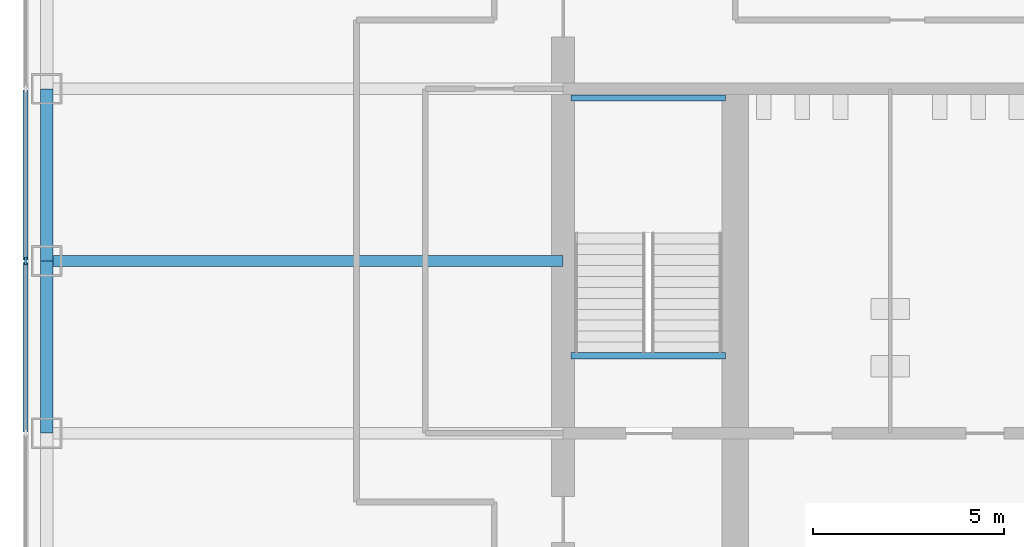
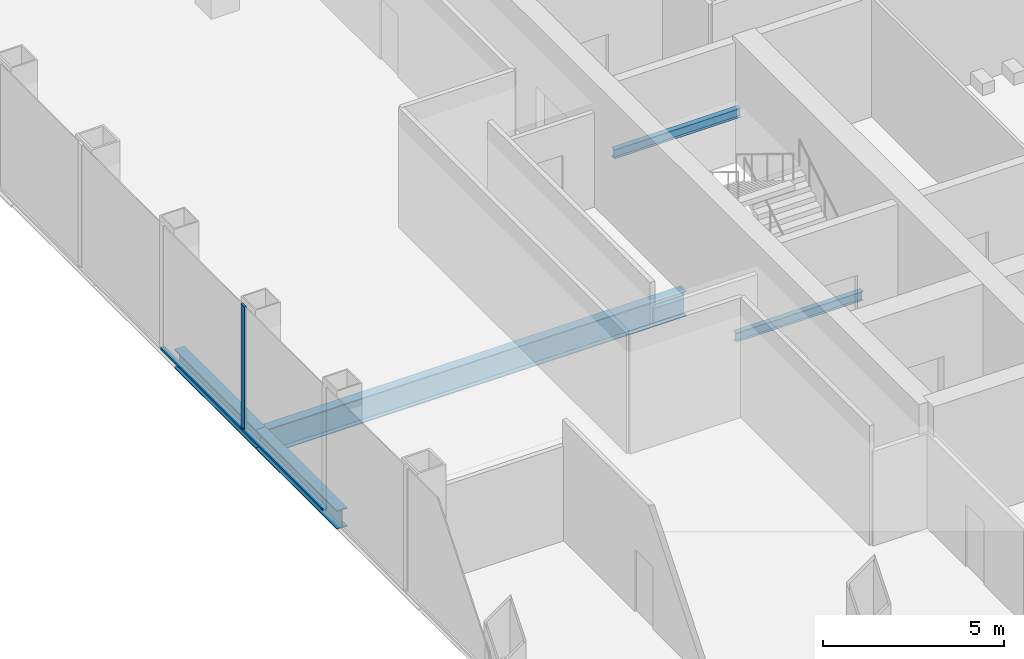
# One storey, part 3 of 12: 5 beams, 3 members, 1 element without a shape of its own.
"""IFC4 building model written with IfcOpenShell, lengths in metres."""

import ifcopenshell
import ifcopenshell.guid

model = None  # the IFC model being written
_history = None  # IfcOwnerHistory: only IFC2X3 demands one
_inside = {}  # id of a spatial element -> (the spatial element, [elements in it])
_under = {}  # id of a project, library or spatial element -> (it, [spatial elements below it])
_declared = {}  # id of a project -> (the project, [libraries it declares])
_typed = {}  # id of a type object -> (the type object, [elements of that type])
_made_of = {}  # id of a material, layer set ... -> (it, [elements and type objects made of it])


def new_model(schema):
    """Start an empty IFC model of exactly this schema.

    Asked for "IFC4X3", IfcOpenShell would pick the latest addendum, in which some entities
    have other attributes; the version numbers below select the first issue.
    IFC2X3 requires an IfcOwnerHistory on every rooted entity: one is made here for all.
    """
    global model, _history
    if schema == "IFC4X3":
        model = ifcopenshell.file(schema_version=(4, 3, 0, 0))
    else:
        model = ifcopenshell.file(schema=schema)
    _inside.clear()
    _under.clear()
    _declared.clear()
    _typed.clear()
    _made_of.clear()
    _history = None
    if model.schema == "IFC2X3":
        org = make("IfcOrganization", Name="unknown")
        user = make(
            "IfcPersonAndOrganization",
            ThePerson=make("IfcPerson", FamilyName="unknown"),
            TheOrganization=org,
        )
        app = make(
            "IfcApplication",
            ApplicationDeveloper=org,
            Version="unknown",
            ApplicationFullName="unknown",
            ApplicationIdentifier="unknown",
        )
        _history = make(
            "IfcOwnerHistory",
            OwningUser=user,
            OwningApplication=app,
            ChangeAction="ADDED",
            CreationDate=0,
        )
    return model


def make(cls, **values):
    """One entity of the class cls with the attributes given. An attribute that is None is left unset."""
    return model.create_entity(
        cls, **{name: value for name, value in values.items() if value is not None}
    )


def rooted(cls, **values):
    """An entity with a GlobalId (a new one), such as an element, a storey or a relation."""
    return make(cls, GlobalId=ifcopenshell.guid.new(), OwnerHistory=_history, **values)


def si_unit(unit_type, name, prefix=None):
    """IfcSIUnit, for example si_unit("LENGTHUNIT", "METRE", prefix="MILLI")."""
    return make("IfcSIUnit", UnitType=unit_type, Prefix=prefix, Name=name)


def assignment(units):
    """IfcUnitAssignment: the units of a project."""
    return None if units is None else make("IfcUnitAssignment", Units=units)


def point(xyz):
    """IfcCartesianPoint."""
    return None if xyz is None else make("IfcCartesianPoint", Coordinates=xyz)


def direction(xyz):
    """IfcDirection."""
    return None if xyz is None else make("IfcDirection", DirectionRatios=xyz)


def frame(location, z_axis=None, x_axis=None):
    """IfcAxis2Placement3D, a coordinate frame: its origin and axes. An axis left out is left unset."""
    return make(
        "IfcAxis2Placement3D",
        Location=point(location),
        Axis=direction(z_axis),
        RefDirection=direction(x_axis),
    )


def frame_2d(location, x_axis=None):
    """IfcAxis2Placement2D, a coordinate frame in the plane: its origin and x axis."""
    return make(
        "IfcAxis2Placement2D", Location=point(location), RefDirection=direction(x_axis)
    )


def origin():
    """The frame at (0, 0, 0) with its axes left unset."""
    return frame((0.0, 0.0, 0.0))


def origin_2d():
    """The frame at (0, 0) in the plane with its x axis left unset."""
    return frame_2d((0.0, 0.0))


def place(relative_to, where):
    """IfcLocalPlacement: puts the frame where relative to a parent placement (None: the world)."""
    return make(
        "IfcLocalPlacement", PlacementRelTo=relative_to, RelativePlacement=where
    )


def context(
    kind, dimensions, precision=None, world=None, true_north=None, identifier=None
):
    """IfcGeometricRepresentationContext, for example the 3D "Model" context."""
    return make(
        "IfcGeometricRepresentationContext",
        ContextIdentifier=identifier,
        ContextType=kind,
        CoordinateSpaceDimension=dimensions,
        Precision=precision,
        WorldCoordinateSystem=world,
        TrueNorth=true_north,
    )


def subcontext(parent, identifier, kind, view, scale=None):
    """IfcGeometricRepresentationSubContext, for example "Body" below "Model"."""
    return make(
        "IfcGeometricRepresentationSubContext",
        ContextIdentifier=identifier,
        ContextType=kind,
        ParentContext=parent,
        TargetScale=scale,
        TargetView=view,
    )


def project(units=None, contexts=None):
    """IfcProject with its units and contexts."""
    return rooted(
        "IfcProject",
        Name="project",
        RepresentationContexts=contexts,
        UnitsInContext=assignment(units),
    )


def spatial(cls, under=None, at=None, **own):
    """A site, building, storey or space (cls), placed at a placement, below another one or the project."""
    s = rooted(cls, ObjectPlacement=at, **own)
    if under is not None:
        _under.setdefault(under.id(), (under, []))[1].append(s)
    return s


def profile(cls, at=None, kind="AREA", **sizes):
    """A parametric profile (cls). Its sizes go by their IFC names, for example OverallWidth=200.0."""
    return make(cls, ProfileType=kind, Position=at, **sizes)


def rectangle(**sizes):
    """IfcRectangleProfileDef."""
    return profile("IfcRectangleProfileDef", **sizes)


def i_section(**sizes):
    """IfcIShapeProfileDef."""
    return profile("IfcIShapeProfileDef", **sizes)


def extrude(swept, where, along, depth):
    """IfcExtrudedAreaSolid: the profile swept, set in the frame where, extruded along a direction by depth."""
    return make(
        "IfcExtrudedAreaSolid",
        SweptArea=swept,
        Position=where,
        ExtrudedDirection=direction(along),
        Depth=depth,
    )


def shape(context_of_items, identifier, shape_type, items):
    """IfcShapeRepresentation: the items that make up one representation, for example the "Body"."""
    return make(
        "IfcShapeRepresentation",
        ContextOfItems=context_of_items,
        RepresentationIdentifier=identifier,
        RepresentationType=shape_type,
        Items=items,
    )


def material(Name=None, Category=None):
    """IfcMaterial."""
    return make("IfcMaterial", Name=Name, Category=Category)


def material_profile(
    of_material, cross_section, Name=None, Category=None, Priority=None
):
    """IfcMaterialProfile: a cross section and its material."""
    return make(
        "IfcMaterialProfile",
        Name=Name,
        Material=of_material,
        Profile=cross_section,
        Priority=Priority,
        Category=Category,
    )


def profile_set(profiles, Name=None, composite=None):
    """IfcMaterialProfileSet."""
    return make(
        "IfcMaterialProfileSet",
        Name=Name,
        MaterialProfiles=profiles,
        CompositeProfile=composite,
    )


def made_of(thing, what):
    """Note that an element or type object is made of a material, layer set ...; save() writes the relation."""
    if what is not None:
        _made_of.setdefault(what.id(), (what, []))[1].append(thing)
    return thing


def type_object(cls, material=None, **own):
    """A type object (cls), such as IfcWallType, which elements share."""
    return made_of(rooted(cls, **own), material)


def element(
    cls,
    number,
    at=None,
    inside=None,
    cuts=None,
    type_object=None,
    material=None,
    context=None,
    identifier="Body",
    shape_type=None,
    held_by="IfcProductDefinitionShape",
    body=None,
    shapes=None,
    **own,
):
    """One element of the class cls, such as IfcWall. Its Tag is "e" and its number.

    at: its placement. inside: the storey or other place that contains it. cuts: it is an
    opening in that element (IfcRelVoidsElement). A single representation is given by context,
    identifier, shape_type and body (its items); several are given by shapes. held_by: the class
    of the entity that holds the representations. save() writes the other relations.
    """
    e = rooted(cls, Tag="e%d" % number, ObjectPlacement=at, **own)
    if body is not None:
        shapes = [shape(context, identifier, shape_type, body)]
    if shapes is not None:
        e.Representation = make(held_by, Representations=shapes)
    if inside is not None:
        _inside.setdefault(inside.id(), (inside, []))[1].append(e)
    if cuts is not None:
        rooted(
            "IfcRelVoidsElement", RelatingBuildingElement=cuts, RelatedOpeningElement=e
        )
    if type_object is not None:
        _typed.setdefault(type_object.id(), (type_object, []))[1].append(e)
    return made_of(e, material)


def aggregate(whole, parts):
    """IfcRelAggregates: a whole, such as a stair, and the parts it consists of."""
    return rooted("IfcRelAggregates", RelatingObject=whole, RelatedObjects=parts)


def save(model, path):
    """Write the relations noted so far, then the file.

    IfcRelAggregates (storeys below a building ...), IfcRelContainedInSpatialStructure (elements
    in a storey), IfcRelDefinesByType, IfcRelAssociatesMaterial and IfcRelDeclares: one each for
    every whole, place, type object, material and project.
    """
    for whole, parts in _under.values():
        aggregate(whole, parts)
    for where, things in _inside.values():
        rooted(
            "IfcRelContainedInSpatialStructure",
            RelatedElements=things,
            RelatingStructure=where,
        )
    for kind, things in _typed.values():
        rooted("IfcRelDefinesByType", RelatedObjects=things, RelatingType=kind)
    for what, things in _made_of.values():
        rooted("IfcRelAssociatesMaterial", RelatedObjects=things, RelatingMaterial=what)
    for by, libraries in _declared.values():
        rooted("IfcRelDeclares", RelatingContext=by, RelatedDefinitions=libraries)
    model.write(path)


model = new_model("IFC4")

# Units and contexts
model_context = context("Model", 3, precision=1e-05, world=origin(), true_north=direction((0.0, 1.0)))
body_context = subcontext(model_context, "Body", "Model", "MODEL_VIEW")
ifc_project = project(units=[si_unit("LENGTHUNIT", "METRE"), si_unit("AREAUNIT", "SQUARE_METRE"), si_unit("VOLUMEUNIT", "CUBIC_METRE"), si_unit("PLANEANGLEUNIT", "RADIAN"), si_unit("MASSUNIT", "GRAM", prefix="KILO")], contexts=[model_context])

# Site, building, storey
site_placement = place(None, origin())
site = spatial("IfcSite", under=ifc_project, at=site_placement, CompositionType="ELEMENT")
building_placement = place(site_placement, origin())
building = spatial("IfcBuilding", under=site, at=building_placement, Name="Corais Broadcast Tower", CompositionType="ELEMENT")
storey_placement = place(building_placement, frame((0.0, 0.0, 58.39990234375)))
storey = spatial("IfcBuildingStorey", under=building, at=storey_placement, Name="L12", CompositionType="ELEMENT", Elevation=58.39990234375)

# Beams
ifc_material_1 = material(Name="Steel ASTM A572 Grade 50", Category="steel")
ifc_material_profile_1 = material_profile(ifc_material_1, i_section(OverallWidth=0.2939453125, OverallDepth=0.85107421875, WebThickness=0.01611328125, FlangeThickness=0.02685546875, at=origin_2d()), Name="W840x226")
ifc_profile_set_1 = profile_set([ifc_material_profile_1], Name="Steel ASTM A572 Grade 50")
beam_type_1 = type_object("IfcBeamType", Name="Floor beam W840x226", PredefinedType="BEAM", material=ifc_profile_set_1)
beam_placement = place(storey_placement, frame((0.0, 27.0, -0.58544921875), z_axis=(1.0, 0.0, 0.0), x_axis=(0.0, 1.0, 0.0)))
element("IfcBeam", 1, at=beam_placement, inside=storey, type_object=beam_type_1, Name="B1 G/3 to G/6", PredefinedType="BEAM", context=body_context, shape_type="SweptSolid", body=[
    extrude(i_section(OverallWidth=0.2939453125, OverallDepth=0.85107421875, WebThickness=0.01611328125, FlangeThickness=0.02685546875, at=origin_2d()), origin(), (0.0, 0.0, 1.0), 13.5),
])
ifc_material_2 = material(Name="Steel ASTM A572 Grade 50", Category="steel")
ifc_material_profile_2 = material_profile(ifc_material_2, i_section(OverallWidth=0.1650390625, OverallDepth=0.31005859375, WebThickness=0.005859375, FlangeThickness=0.009765625, at=origin_2d()), Name="W310x38.7")
ifc_profile_set_2 = profile_set([ifc_material_profile_2], Name="Steel ASTM A572 Grade 50")
beam_type_2 = type_object("IfcBeamType", Name="Landing trimmer W310x38.7", PredefinedType="BEAM", material=ifc_profile_set_2)
for number, where, z_axis, x_axis, name in (
    (2, (13.699951171875, 24.52490234375, -0.35498046875), (1.0, 0.0, 0.0), (0.0, 1.0, 0.0), "LT1 stair A landing trimmer L12"),
    (3, (13.699951171875, 31.260009765625, 1.7451171875), (1.0, 0.0, 0.0), (0.0, 1.0, 0.0), "LT1 stair A half landing trimmer L12"),
):
    element("IfcBeam", number, at=place(storey_placement, frame(where, z_axis=z_axis, x_axis=x_axis)), inside=storey, type_object=beam_type_2, Name=name, PredefinedType="BEAM", context=body_context, shape_type="SweptSolid", body=[
        extrude(i_section(OverallWidth=0.1650390625, OverallDepth=0.31005859375, WebThickness=0.005859375, FlangeThickness=0.009765625, at=origin_2d()), origin(), (0.0, 0.0, 1.0), 4.050048828125),
    ])

# Curtain wall, member
ifc_material_3 = material(Name="Aluminium and glass", Category="aluminium")
curtain_wall_type = type_object("IfcCurtainWallType", Name="Unitised fritted curtain wall CW1", PredefinedType="NOTDEFINED", material=ifc_material_3)
curtain_wall_placement = place(storey_placement, origin())
curtain_wall = element("IfcCurtainWall", 4, at=curtain_wall_placement, inside=storey, type_object=curtain_wall_type, Name="CW1 curtain wall L12 2", PredefinedType="NOTDEFINED")
ifc_material_4 = material(Name="Aluminium 6063-T6", Category="aluminium")
ifc_material_profile_3 = material_profile(ifc_material_4, rectangle(XDim=0.06494140625, YDim=0.199951171875, at=origin_2d()), Name="Mullion CW1 65x200")
ifc_profile_set_3 = profile_set([ifc_material_profile_3], Name="Aluminium 6063-T6")
member_type_1 = type_object("IfcMemberType", Name="Mullion CW1 65x200", PredefinedType="MULLION", material=ifc_profile_set_3)
member_1_placement = place(storey_placement, frame((-0.550048828125, 27.0, 0.0), z_axis=(0.0, 0.0, 1.0), x_axis=(-1.0, 0.0, 0.0)))
member_1 = element("IfcMember", 5, at=member_1_placement, type_object=member_type_1, Name="CW1 mullion 6", PredefinedType="MULLION", context=body_context, shape_type="SweptSolid", body=[
    extrude(rectangle(XDim=0.06494140625, YDim=0.199951171875, at=origin_2d()), origin(), (0.0, 0.0, 1.0), 4.2001953125),
])

# Beams
ifc_material_5 = material(Name="Steel ASTM A572 Grade 50", Category="steel")
ifc_material_profile_4 = material_profile(ifc_material_5, i_section(OverallWidth=0.3291015625, OverallDepth=0.635009765625, WebThickness=0.017822265625, FlangeThickness=0.031005859375, at=origin_2d()), Name="W610x241")
ifc_profile_set_4 = profile_set([ifc_material_profile_4], Name="Steel ASTM A572 Grade 50")
beam_type_3 = type_object("IfcBeamType", Name="Spandrel W610x241", PredefinedType="BEAM", material=ifc_profile_set_4)
for number, where, z_axis, x_axis, name in (
    (6, (0.0, 27.0, -0.477294921875), (0.0, -1.0, 0.0), (1.0, 0.0, 0.0), "SB1 G/3 to F/3"),
    (7, (0.0, 31.5, -0.477294921875), (0.0, -1.0, 0.0), (1.0, 0.0, 0.0), "SB1 H/3 to G/3"),
):
    element("IfcBeam", number, at=place(storey_placement, frame(where, z_axis=z_axis, x_axis=x_axis)), inside=storey, type_object=beam_type_3, Name=name, PredefinedType="BEAM", context=body_context, shape_type="SweptSolid", body=[
        extrude(i_section(OverallWidth=0.3291015625, OverallDepth=0.635009765625, WebThickness=0.017822265625, FlangeThickness=0.031005859375, at=origin_2d()), origin(), (0.0, 0.0, 1.0), 4.5),
    ])

# Member
ifc_material_6 = material(Name="Aluminium 6063-T6", Category="aluminium")
ifc_material_profile_5 = material_profile(ifc_material_6, rectangle(XDim=0.139892578125, YDim=0.06494140625, at=origin_2d()), Name="Transom CW1 65x140")
ifc_profile_set_5 = profile_set([ifc_material_profile_5], Name="Aluminium 6063-T6")
member_type_2 = type_object("IfcMemberType", Name="Transom CW1 65x140", PredefinedType="USERDEFINED", material=ifc_profile_set_5)
member_2_placement = place(storey_placement, frame((-0.550048828125, 22.532470703125, 0.03271484375), z_axis=(0.0, 1.0, 0.0), x_axis=(-1.0, 0.0, 0.0)))
member_2 = element("IfcMember", 8, at=member_2_placement, type_object=member_type_2, Name="CW1 transom 5.1", ObjectType="TRANSOM", PredefinedType="USERDEFINED", context=body_context, shape_type="SweptSolid", body=[
    extrude(rectangle(XDim=0.139892578125, YDim=0.06494140625, at=origin_2d()), origin(), (0.0, 0.0, 1.0), 4.43505859375),
])

member_3_placement = place(storey_placement, frame((-0.550048828125, 27.032470703125, 0.03271484375), z_axis=(0.0, 1.0, 0.0), x_axis=(-1.0, 0.0, 0.0)))
member_3 = element("IfcMember", 9, at=member_3_placement, type_object=member_type_2, Name="CW1 transom 6.1", ObjectType="TRANSOM", PredefinedType="USERDEFINED", context=body_context, shape_type="SweptSolid", body=[
    extrude(rectangle(XDim=0.139892578125, YDim=0.06494140625, at=origin_2d()), origin(), (0.0, 0.0, 1.0), 4.43505859375),
])

aggregate(curtain_wall, [member_1, member_2, member_3])

save(model, "model.ifc")
